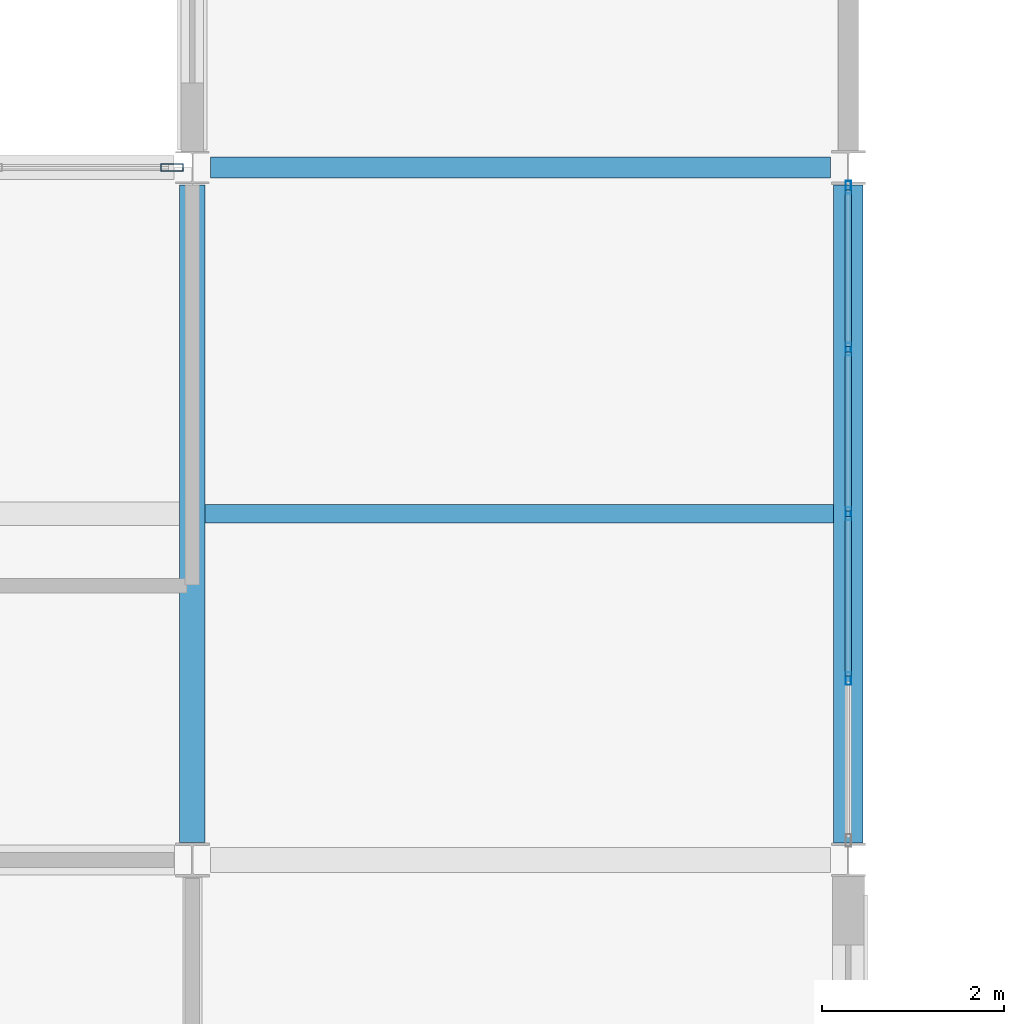
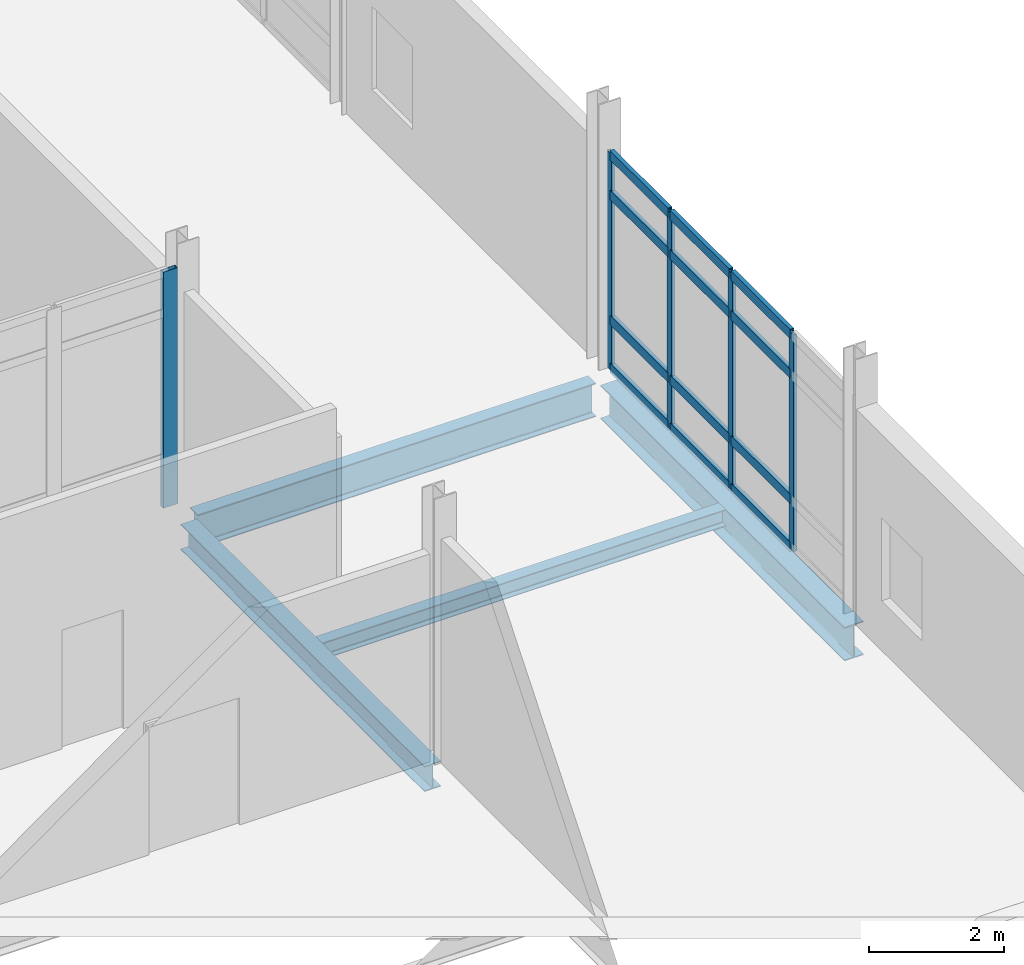
# One storey, part 74 of 186: 17 members, 4 beams, 2 elements without a shape of their own.
"""IFC4 building model written with IfcOpenShell, lengths in metres."""

from ifc_helpers import new_model, si_unit, direction, frame, origin, origin_2d, place, context, subcontext, project, spatial, hollow_rectangle, i_section, extrude, material, layer, layer_set, material_profile, profile_set, type_object, element, aggregate, save


model = new_model("IFC4")

# Units and contexts
model_context = context("Model", 3, precision=1e-05, world=origin(), true_north=direction((0.0, 1.0)))
body_context = subcontext(model_context, "Body", "Model", "MODEL_VIEW")
ifc_project = project(units=[si_unit("LENGTHUNIT", "METRE"), si_unit("AREAUNIT", "SQUARE_METRE"), si_unit("VOLUMEUNIT", "CUBIC_METRE"), si_unit("PLANEANGLEUNIT", "RADIAN"), si_unit("MASSUNIT", "GRAM", prefix="KILO")], contexts=[model_context])

# Site, building, storey
site_placement = place(None, origin())
site = spatial("IfcSite", under=ifc_project, at=site_placement, CompositionType="ELEMENT")
building_placement = place(site_placement, origin())
building = spatial("IfcBuilding", under=site, at=building_placement, Name="Calvrana Isthmian Art Gallery", CompositionType="ELEMENT")
storey_placement = place(building_placement, frame((0.0, 0.0, 5.39990234375)))
storey = spatial("IfcBuildingStorey", under=building, at=storey_placement, Name="L01", CompositionType="ELEMENT", Elevation=5.39990234375)

# Beams
ifc_material_1 = material(Name="Steel ASTM A992 Gr 50", Category="steel")
ifc_material_profile_1 = material_profile(ifc_material_1, i_section(OverallWidth=0.279052734375, OverallDepth=0.4619140625, WebThickness=0.0107421875, FlangeThickness=0.017333984375, FilletRadius=0.02001953125, at=origin_2d()), Name="W18X76")
ifc_profile_set_1 = profile_set([ifc_material_profile_1], Name="Steel ASTM A992 Gr 50")
beam_type_1 = type_object("IfcBeamType", Name="BM-G-W18X76", PredefinedType="BEAM", material=ifc_profile_set_1)
beam_1_placement = place(storey_placement, frame((112.800048828125, 54.590576171875, -0.495849609375), z_axis=(0.0, 1.0, 0.0), x_axis=(-1.0, 0.0, 0.0)))
element("IfcBeam", 1, at=beam_1_placement, inside=storey, type_object=beam_type_1, Name="Girder Y L01 15/H-I", PredefinedType="BEAM", context=body_context, shape_type="SweptSolid", body=[
    extrude(i_section(OverallWidth=0.279052734375, OverallDepth=0.4619140625, WebThickness=0.0107421875, FlangeThickness=0.017333984375, FilletRadius=0.02001953125, at=origin_2d()), origin(), (0.0, 0.0, 1.0), 7.21630859375),
])
ifc_material_profile_2 = material_profile(ifc_material_1, i_section(OverallWidth=0.324951171875, OverallDepth=0.612060546875, WebThickness=0.0126953125, FlangeThickness=0.01904296875, FilletRadius=0.02197265625, at=origin_2d()), Name="W24X104")
ifc_profile_set_2 = profile_set([ifc_material_profile_2], Name="Steel ASTM A992 Gr 50")
beam_type_2 = type_object("IfcBeamType", Name="BM-G-W24X104", PredefinedType="BEAM", material=ifc_profile_set_2)
beam_2_placement = place(storey_placement, frame((120.0, 54.587890625, -0.57080078125), z_axis=(0.0, 1.0, 0.0), x_axis=(-1.0, 0.0, 0.0)))
element("IfcBeam", 2, at=beam_2_placement, inside=storey, type_object=beam_type_2, Name="Girder Y L01 16/H-I", PredefinedType="BEAM", context=body_context, shape_type="SweptSolid", body=[
    extrude(i_section(OverallWidth=0.324951171875, OverallDepth=0.612060546875, WebThickness=0.0126953125, FlangeThickness=0.01904296875, FilletRadius=0.02197265625, at=origin_2d()), origin(), (0.0, 0.0, 1.0), 7.2216796875),
])
ifc_material_profile_3 = material_profile(ifc_material_1, i_section(OverallWidth=0.22802734375, OverallDepth=0.60693359375, WebThickness=0.01123046875, FlangeThickness=0.017333984375, FilletRadius=0.02197265625, at=origin_2d()), Name="W24X76")
ifc_profile_set_3 = profile_set([ifc_material_profile_3], Name="Steel ASTM A992 Gr 50")
beam_type_3 = type_object("IfcBeamType", Name="BM-G-W24X76", PredefinedType="BEAM", material=ifc_profile_set_3)
beam_3_placement = place(storey_placement, frame((112.99951171875, 62.0, -0.568359375), z_axis=(1.0, 0.0, 0.0), x_axis=(0.0, 1.0, 0.0)))
element("IfcBeam", 3, at=beam_3_placement, inside=storey, type_object=beam_type_3, Name="Girder X L01 15-16/I", PredefinedType="BEAM", context=body_context, shape_type="SweptSolid", body=[
    extrude(i_section(OverallWidth=0.22802734375, OverallDepth=0.60693359375, WebThickness=0.01123046875, FlangeThickness=0.017333984375, FilletRadius=0.02197265625, at=origin_2d()), origin(), (0.0, 0.0, 1.0), 6.802490234375),
])
ifc_material_profile_4 = material_profile(ifc_material_1, i_section(OverallWidth=0.202880859375, OverallDepth=0.302001953125, WebThickness=0.007568359375, FlangeThickness=0.01318359375, FilletRadius=0.01611328125, at=origin_2d()), Name="W12X40")
ifc_profile_set_4 = profile_set([ifc_material_profile_4], Name="Steel ASTM A992 Gr 50")
beam_type_4 = type_object("IfcBeamType", Name="BM-J-W12X40", PredefinedType="JOIST", material=ifc_profile_set_4)
beam_4_placement = place(storey_placement, frame((112.939453125, 58.199951171875, -0.416015625), z_axis=(1.0, 0.0, 0.0), x_axis=(0.0, 1.0, 0.0)))
element("IfcBeam", 4, at=beam_4_placement, inside=storey, type_object=beam_type_4, Name="Composite joist L01 bay 14-07", PredefinedType="JOIST", context=body_context, shape_type="SweptSolid", body=[
    extrude(i_section(OverallWidth=0.202880859375, OverallDepth=0.302001953125, WebThickness=0.007568359375, FlangeThickness=0.01318359375, FilletRadius=0.01611328125, at=origin_2d()), origin(), (0.0, 0.0, 1.0), 6.89794921875),
])

# Curtain wall, members
ifc_material_2 = material(Name="Anodized bronze aluminium 6063-T6", Category="aluminium")
ifc_layer_1 = layer(ifc_material_2, 0.179931640625, Name="Anodized bronze aluminium 6063-T6")
ifc_layer_set_1 = layer_set([ifc_layer_1], Name="Anodized bronze aluminium 6063-T6")
curtain_wall_type_1 = type_object("IfcCurtainWallType", Name="CW-STICK-072X39", PredefinedType="NOTDEFINED", material=ifc_layer_set_1)
curtain_wall_1_placement = place(storey_placement, origin())
curtain_wall_1 = element("IfcCurtainWall", 5, at=curtain_wall_1_placement, inside=storey, type_object=curtain_wall_type_1, Name="Curtain wall CW-138", PredefinedType="NOTDEFINED")
ifc_material_profile_5 = material_profile(ifc_material_2, hollow_rectangle(XDim=0.06005859375, YDim=0.139892578125, WallThickness=0.00390625, at=origin_2d()), Name="CWM60X140")
ifc_profile_set_5 = profile_set([ifc_material_profile_5], Name="Anodized bronze aluminium 6063-T6")
member_type_1 = type_object("IfcMemberType", Name="CWM-CWM60X140", PredefinedType="MULLION", material=ifc_profile_set_5)
member_1_placement = place(storey_placement, frame((120.0, 61.783447265625, 0.0), z_axis=(0.0, 0.0, 1.0), x_axis=(1.0, 0.0, 0.0)))
member_1 = element("IfcMember", 6, at=member_1_placement, type_object=member_type_1, Name="CW-138 mullion 1", PredefinedType="MULLION", context=body_context, shape_type="SweptSolid", body=[
    extrude(hollow_rectangle(XDim=0.06005859375, YDim=0.139892578125, WallThickness=0.00390625, at=origin_2d()), origin(), (0.0, 0.0, 1.0), 3.9130859375),
])
member_2_placement = place(storey_placement, frame((120.0, 60.006103515625, 0.0), z_axis=(0.0, 0.0, 1.0), x_axis=(1.0, 0.0, 0.0)))
member_2 = element("IfcMember", 7, at=member_2_placement, type_object=member_type_1, Name="CW-138 mullion 2", PredefinedType="MULLION", context=body_context, shape_type="SweptSolid", body=[
    extrude(hollow_rectangle(XDim=0.06005859375, YDim=0.139892578125, WallThickness=0.00390625, at=origin_2d()), origin(), (0.0, 0.0, 1.0), 3.9130859375),
])
member_3_placement = place(storey_placement, frame((120.0, 58.19873046875, 0.0), z_axis=(0.0, 0.0, 1.0), x_axis=(1.0, 0.0, 0.0)))
member_3 = element("IfcMember", 8, at=member_3_placement, type_object=member_type_1, Name="CW-138 mullion 3", PredefinedType="MULLION", context=body_context, shape_type="SweptSolid", body=[
    extrude(hollow_rectangle(XDim=0.06005859375, YDim=0.139892578125, WallThickness=0.00390625, at=origin_2d()), origin(), (0.0, 0.0, 1.0), 3.9130859375),
])
member_4_placement = place(storey_placement, frame((120.0, 56.391357421875, 0.0), z_axis=(0.0, 0.0, 1.0), x_axis=(1.0, 0.0, 0.0)))
member_4 = element("IfcMember", 9, at=member_4_placement, type_object=member_type_1, Name="CW-138 mullion 4", PredefinedType="MULLION", context=body_context, shape_type="SweptSolid", body=[
    extrude(hollow_rectangle(XDim=0.06005859375, YDim=0.139892578125, WallThickness=0.00390625, at=origin_2d()), origin(), (0.0, 0.0, 1.0), 3.9130859375),
])

# Curtain wall, member
ifc_layer_2 = layer(ifc_material_2, 0.179931640625, Name="Anodized bronze aluminium 6063-T6")
ifc_layer_set_2 = layer_set([ifc_layer_2], Name="Anodized bronze aluminium 6063-T6")
curtain_wall_type_2 = type_object("IfcCurtainWallType", Name="CW-UNIT-081X43", PredefinedType="USERDEFINED", material=ifc_layer_set_2)
curtain_wall_2_placement = place(storey_placement, origin())
curtain_wall_2 = element("IfcCurtainWall", 10, at=curtain_wall_2_placement, inside=storey, type_object=curtain_wall_type_2, Name="Curtain wall CW-107", ObjectType="UNITISED CURTAIN WALL", PredefinedType="USERDEFINED")
ifc_material_profile_6 = material_profile(ifc_material_2, hollow_rectangle(XDim=0.080078125, YDim=0.25, WallThickness=0.005615234375, at=origin_2d()), Name="CWM80X250")
ifc_profile_set_6 = profile_set([ifc_material_profile_6], Name="Anodized bronze aluminium 6063-T6")
member_type_2 = type_object("IfcMemberType", Name="CWM-CWM80X250", PredefinedType="MULLION", material=ifc_profile_set_6)
member_5_placement = place(storey_placement, frame((112.575927734375, 62.0, 0.0), z_axis=(0.0, 0.0, 1.0), x_axis=(0.0, 1.0, 0.0)))
member_5 = element("IfcMember", 11, at=member_5_placement, type_object=member_type_2, Name="CW-107 mullion 5", PredefinedType="MULLION", context=body_context, shape_type="SweptSolid", body=[
    extrude(hollow_rectangle(XDim=0.080078125, YDim=0.25, WallThickness=0.005615234375, at=origin_2d()), origin(), (0.0, 0.0, 1.0), 4.26611328125),
])
aggregate(curtain_wall_2, [member_5])

# Member
ifc_material_profile_7 = material_profile(ifc_material_2, hollow_rectangle(XDim=0.070068359375, YDim=0.169921875, WallThickness=0.00439453125, at=origin_2d()), Name="CWT70X170")
ifc_profile_set_7 = profile_set([ifc_material_profile_7], Name="Anodized bronze aluminium 6063-T6")
member_type_3 = type_object("IfcMemberType", Name="CWT-CWT70X170", PredefinedType="USERDEFINED", material=ifc_profile_set_7)
member_6_placement = place(storey_placement, frame((120.0, 61.75341796875, 0.03515625), z_axis=(0.0, -1.0, 0.0), x_axis=(1.0, 0.0, 0.0)))
member_6 = element("IfcMember", 12, at=member_6_placement, type_object=member_type_3, Name="CW-138 transom 1.1", ObjectType="TRANSOM", PredefinedType="USERDEFINED", context=body_context, shape_type="SweptSolid", body=[
    extrude(hollow_rectangle(XDim=0.070068359375, YDim=0.169921875, WallThickness=0.00439453125, at=origin_2d()), origin(), (0.0, 0.0, 1.0), 1.71728515625),
])

member_7_placement = place(storey_placement, frame((120.0, 61.75341796875, 0.900146484375), z_axis=(0.0, -1.0, 0.0), x_axis=(1.0, 0.0, 0.0)))
member_7 = element("IfcMember", 13, at=member_7_placement, type_object=member_type_3, Name="CW-138 transom 1.2", ObjectType="TRANSOM", PredefinedType="USERDEFINED", context=body_context, shape_type="SweptSolid", body=[
    extrude(hollow_rectangle(XDim=0.070068359375, YDim=0.169921875, WallThickness=0.00439453125, at=origin_2d()), origin(), (0.0, 0.0, 1.0), 1.71728515625),
])

member_8_placement = place(storey_placement, frame((120.0, 61.75341796875, 3.1630859375), z_axis=(0.0, -1.0, 0.0), x_axis=(1.0, 0.0, 0.0)))
member_8 = element("IfcMember", 14, at=member_8_placement, type_object=member_type_3, Name="CW-138 transom 1.3", ObjectType="TRANSOM", PredefinedType="USERDEFINED", context=body_context, shape_type="SweptSolid", body=[
    extrude(hollow_rectangle(XDim=0.070068359375, YDim=0.169921875, WallThickness=0.00439453125, at=origin_2d()), origin(), (0.0, 0.0, 1.0), 1.71728515625),
])

member_9_placement = place(storey_placement, frame((120.0, 61.75341796875, 3.878173828125), z_axis=(0.0, -1.0, 0.0), x_axis=(1.0, 0.0, 0.0)))
member_9 = element("IfcMember", 15, at=member_9_placement, type_object=member_type_3, Name="CW-138 transom 1.4", ObjectType="TRANSOM", PredefinedType="USERDEFINED", context=body_context, shape_type="SweptSolid", body=[
    extrude(hollow_rectangle(XDim=0.070068359375, YDim=0.169921875, WallThickness=0.00439453125, at=origin_2d()), origin(), (0.0, 0.0, 1.0), 1.71728515625),
])

member_10_placement = place(storey_placement, frame((120.0, 59.97607421875, 0.03515625), z_axis=(0.0, -1.0, 0.0), x_axis=(1.0, 0.0, 0.0)))
member_10 = element("IfcMember", 16, at=member_10_placement, type_object=member_type_3, Name="CW-138 transom 2.1", ObjectType="TRANSOM", PredefinedType="USERDEFINED", context=body_context, shape_type="SweptSolid", body=[
    extrude(hollow_rectangle(XDim=0.070068359375, YDim=0.169921875, WallThickness=0.00439453125, at=origin_2d()), origin(), (0.0, 0.0, 1.0), 1.747314453125),
])

member_11_placement = place(storey_placement, frame((120.0, 59.97607421875, 0.900146484375), z_axis=(0.0, -1.0, 0.0), x_axis=(1.0, 0.0, 0.0)))
member_11 = element("IfcMember", 17, at=member_11_placement, type_object=member_type_3, Name="CW-138 transom 2.2", ObjectType="TRANSOM", PredefinedType="USERDEFINED", context=body_context, shape_type="SweptSolid", body=[
    extrude(hollow_rectangle(XDim=0.070068359375, YDim=0.169921875, WallThickness=0.00439453125, at=origin_2d()), origin(), (0.0, 0.0, 1.0), 1.747314453125),
])

member_12_placement = place(storey_placement, frame((120.0, 59.97607421875, 3.1630859375), z_axis=(0.0, -1.0, 0.0), x_axis=(1.0, 0.0, 0.0)))
member_12 = element("IfcMember", 18, at=member_12_placement, type_object=member_type_3, Name="CW-138 transom 2.3", ObjectType="TRANSOM", PredefinedType="USERDEFINED", context=body_context, shape_type="SweptSolid", body=[
    extrude(hollow_rectangle(XDim=0.070068359375, YDim=0.169921875, WallThickness=0.00439453125, at=origin_2d()), origin(), (0.0, 0.0, 1.0), 1.747314453125),
])

member_13_placement = place(storey_placement, frame((120.0, 59.97607421875, 3.878173828125), z_axis=(0.0, -1.0, 0.0), x_axis=(1.0, 0.0, 0.0)))
member_13 = element("IfcMember", 19, at=member_13_placement, type_object=member_type_3, Name="CW-138 transom 2.4", ObjectType="TRANSOM", PredefinedType="USERDEFINED", context=body_context, shape_type="SweptSolid", body=[
    extrude(hollow_rectangle(XDim=0.070068359375, YDim=0.169921875, WallThickness=0.00439453125, at=origin_2d()), origin(), (0.0, 0.0, 1.0), 1.747314453125),
])

member_14_placement = place(storey_placement, frame((120.0, 58.168701171875, 0.03515625), z_axis=(0.0, -1.0, 0.0), x_axis=(1.0, 0.0, 0.0)))
member_14 = element("IfcMember", 20, at=member_14_placement, type_object=member_type_3, Name="CW-138 transom 3.1", ObjectType="TRANSOM", PredefinedType="USERDEFINED", context=body_context, shape_type="SweptSolid", body=[
    extrude(hollow_rectangle(XDim=0.070068359375, YDim=0.169921875, WallThickness=0.00439453125, at=origin_2d()), origin(), (0.0, 0.0, 1.0), 1.747314453125),
])

member_15_placement = place(storey_placement, frame((120.0, 58.168701171875, 0.900146484375), z_axis=(0.0, -1.0, 0.0), x_axis=(1.0, 0.0, 0.0)))
member_15 = element("IfcMember", 21, at=member_15_placement, type_object=member_type_3, Name="CW-138 transom 3.2", ObjectType="TRANSOM", PredefinedType="USERDEFINED", context=body_context, shape_type="SweptSolid", body=[
    extrude(hollow_rectangle(XDim=0.070068359375, YDim=0.169921875, WallThickness=0.00439453125, at=origin_2d()), origin(), (0.0, 0.0, 1.0), 1.747314453125),
])

member_16_placement = place(storey_placement, frame((120.0, 58.168701171875, 3.1630859375), z_axis=(0.0, -1.0, 0.0), x_axis=(1.0, 0.0, 0.0)))
member_16 = element("IfcMember", 22, at=member_16_placement, type_object=member_type_3, Name="CW-138 transom 3.3", ObjectType="TRANSOM", PredefinedType="USERDEFINED", context=body_context, shape_type="SweptSolid", body=[
    extrude(hollow_rectangle(XDim=0.070068359375, YDim=0.169921875, WallThickness=0.00439453125, at=origin_2d()), origin(), (0.0, 0.0, 1.0), 1.747314453125),
])

member_17_placement = place(storey_placement, frame((120.0, 58.168701171875, 3.878173828125), z_axis=(0.0, -1.0, 0.0), x_axis=(1.0, 0.0, 0.0)))
member_17 = element("IfcMember", 23, at=member_17_placement, type_object=member_type_3, Name="CW-138 transom 3.4", ObjectType="TRANSOM", PredefinedType="USERDEFINED", context=body_context, shape_type="SweptSolid", body=[
    extrude(hollow_rectangle(XDim=0.070068359375, YDim=0.169921875, WallThickness=0.00439453125, at=origin_2d()), origin(), (0.0, 0.0, 1.0), 1.747314453125),
])

aggregate(curtain_wall_1, [member_1, member_2, member_3, member_4, member_6, member_7, member_8, member_9, member_10, member_11, member_12, member_13, member_14, member_15, member_16, member_17])

save(model, "model.ifc")
